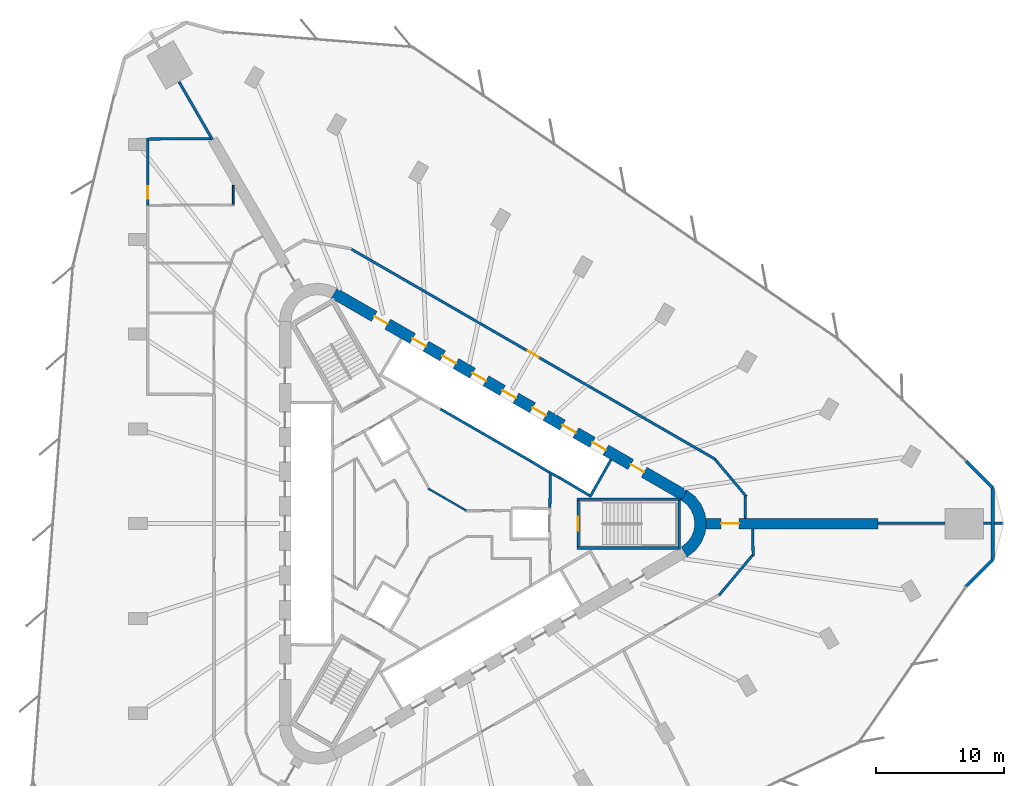
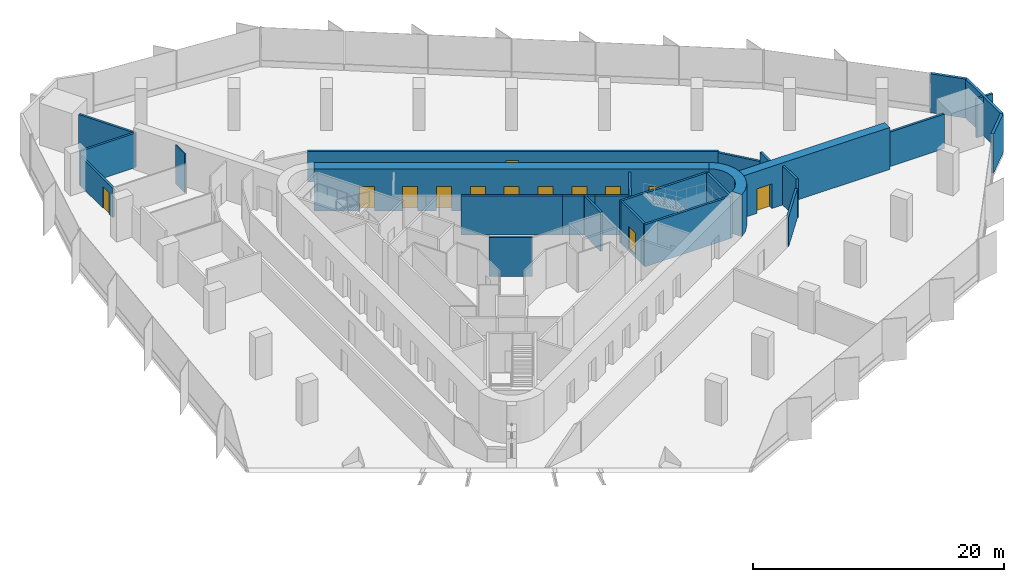
# One storey, part 12 of 14: 29 walls, 13 doors, 13 openings.
"""IFC4 building model written with IfcOpenShell, lengths in metres."""

import ifcopenshell
import ifcopenshell.guid

model = None  # the IFC model being written
_history = None  # IfcOwnerHistory: only IFC2X3 demands one
_inside = {}  # id of a spatial element -> (the spatial element, [elements in it])
_under = {}  # id of a project, library or spatial element -> (it, [spatial elements below it])
_declared = {}  # id of a project -> (the project, [libraries it declares])
_typed = {}  # id of a type object -> (the type object, [elements of that type])
_made_of = {}  # id of a material, layer set ... -> (it, [elements and type objects made of it])


def new_model(schema):
    """Start an empty IFC model of exactly this schema.

    Asked for "IFC4X3", IfcOpenShell would pick the latest addendum, in which some entities
    have other attributes; the version numbers below select the first issue.
    IFC2X3 requires an IfcOwnerHistory on every rooted entity: one is made here for all.
    """
    global model, _history
    if schema == "IFC4X3":
        model = ifcopenshell.file(schema_version=(4, 3, 0, 0))
    else:
        model = ifcopenshell.file(schema=schema)
    _inside.clear()
    _under.clear()
    _declared.clear()
    _typed.clear()
    _made_of.clear()
    _history = None
    if model.schema == "IFC2X3":
        org = make("IfcOrganization", Name="unknown")
        user = make(
            "IfcPersonAndOrganization",
            ThePerson=make("IfcPerson", FamilyName="unknown"),
            TheOrganization=org,
        )
        app = make(
            "IfcApplication",
            ApplicationDeveloper=org,
            Version="unknown",
            ApplicationFullName="unknown",
            ApplicationIdentifier="unknown",
        )
        _history = make(
            "IfcOwnerHistory",
            OwningUser=user,
            OwningApplication=app,
            ChangeAction="ADDED",
            CreationDate=0,
        )
    return model


def make(cls, **values):
    """One entity of the class cls with the attributes given. An attribute that is None is left unset."""
    return model.create_entity(
        cls, **{name: value for name, value in values.items() if value is not None}
    )


def rooted(cls, **values):
    """An entity with a GlobalId (a new one), such as an element, a storey or a relation."""
    return make(cls, GlobalId=ifcopenshell.guid.new(), OwnerHistory=_history, **values)


def si_unit(unit_type, name, prefix=None):
    """IfcSIUnit, for example si_unit("LENGTHUNIT", "METRE", prefix="MILLI")."""
    return make("IfcSIUnit", UnitType=unit_type, Prefix=prefix, Name=name)


def assignment(units):
    """IfcUnitAssignment: the units of a project."""
    return None if units is None else make("IfcUnitAssignment", Units=units)


def point(xyz):
    """IfcCartesianPoint."""
    return None if xyz is None else make("IfcCartesianPoint", Coordinates=xyz)


def direction(xyz):
    """IfcDirection."""
    return None if xyz is None else make("IfcDirection", DirectionRatios=xyz)


def frame(location, z_axis=None, x_axis=None):
    """IfcAxis2Placement3D, a coordinate frame: its origin and axes. An axis left out is left unset."""
    return make(
        "IfcAxis2Placement3D",
        Location=point(location),
        Axis=direction(z_axis),
        RefDirection=direction(x_axis),
    )


def frame_2d(location, x_axis=None):
    """IfcAxis2Placement2D, a coordinate frame in the plane: its origin and x axis."""
    return make(
        "IfcAxis2Placement2D", Location=point(location), RefDirection=direction(x_axis)
    )


def origin():
    """The frame at (0, 0, 0) with its axes left unset."""
    return frame((0.0, 0.0, 0.0))


def place(relative_to, where):
    """IfcLocalPlacement: puts the frame where relative to a parent placement (None: the world)."""
    return make(
        "IfcLocalPlacement", PlacementRelTo=relative_to, RelativePlacement=where
    )


def context(
    kind, dimensions, precision=None, world=None, true_north=None, identifier=None
):
    """IfcGeometricRepresentationContext, for example the 3D "Model" context."""
    return make(
        "IfcGeometricRepresentationContext",
        ContextIdentifier=identifier,
        ContextType=kind,
        CoordinateSpaceDimension=dimensions,
        Precision=precision,
        WorldCoordinateSystem=world,
        TrueNorth=true_north,
    )


def subcontext(parent, identifier, kind, view, scale=None):
    """IfcGeometricRepresentationSubContext, for example "Body" below "Model"."""
    return make(
        "IfcGeometricRepresentationSubContext",
        ContextIdentifier=identifier,
        ContextType=kind,
        ParentContext=parent,
        TargetScale=scale,
        TargetView=view,
    )


def project(units=None, contexts=None):
    """IfcProject with its units and contexts."""
    return rooted(
        "IfcProject",
        Name="project",
        RepresentationContexts=contexts,
        UnitsInContext=assignment(units),
    )


def spatial(cls, under=None, at=None, **own):
    """A site, building, storey or space (cls), placed at a placement, below another one or the project."""
    s = rooted(cls, ObjectPlacement=at, **own)
    if under is not None:
        _under.setdefault(under.id(), (under, []))[1].append(s)
    return s


def polyline(points):
    """IfcPolyline through the points."""
    return make("IfcPolyline", Points=[point(p) for p in points])


def profile(cls, at=None, kind="AREA", **sizes):
    """A parametric profile (cls). Its sizes go by their IFC names, for example OverallWidth=200.0."""
    return make(cls, ProfileType=kind, Position=at, **sizes)


def rectangle(**sizes):
    """IfcRectangleProfileDef."""
    return profile("IfcRectangleProfileDef", **sizes)


def outline(outer, holes=None, kind="AREA"):
    """IfcArbitraryClosedProfileDef: a profile drawn as a closed curve; with holes, ...WithVoids."""
    if holes is None:
        return make("IfcArbitraryClosedProfileDef", ProfileType=kind, OuterCurve=outer)
    return make(
        "IfcArbitraryProfileDefWithVoids",
        ProfileType=kind,
        OuterCurve=outer,
        InnerCurves=holes,
    )


def extrude(swept, where, along, depth):
    """IfcExtrudedAreaSolid: the profile swept, set in the frame where, extruded along a direction by depth."""
    return make(
        "IfcExtrudedAreaSolid",
        SweptArea=swept,
        Position=where,
        ExtrudedDirection=direction(along),
        Depth=depth,
    )


def shape(context_of_items, identifier, shape_type, items):
    """IfcShapeRepresentation: the items that make up one representation, for example the "Body"."""
    return make(
        "IfcShapeRepresentation",
        ContextOfItems=context_of_items,
        RepresentationIdentifier=identifier,
        RepresentationType=shape_type,
        Items=items,
    )


def material(Name=None, Category=None):
    """IfcMaterial."""
    return make("IfcMaterial", Name=Name, Category=Category)


def layer(
    of_material, thickness, ventilated=None, Name=None, Category=None, Priority=None
):
    """IfcMaterialLayer: one layer of a wall or slab, of a material (None: an air gap)."""
    return make(
        "IfcMaterialLayer",
        Material=of_material,
        LayerThickness=thickness,
        IsVentilated=ventilated,
        Name=Name,
        Category=Category,
        Priority=Priority,
    )


def layer_set(layers, Name=None):
    """IfcMaterialLayerSet."""
    return make("IfcMaterialLayerSet", MaterialLayers=layers, LayerSetName=Name)


def made_of(thing, what):
    """Note that an element or type object is made of a material, layer set ...; save() writes the relation."""
    if what is not None:
        _made_of.setdefault(what.id(), (what, []))[1].append(thing)
    return thing


def type_object(cls, material=None, **own):
    """A type object (cls), such as IfcWallType, which elements share."""
    return made_of(rooted(cls, **own), material)


def element(
    cls,
    number,
    at=None,
    inside=None,
    cuts=None,
    type_object=None,
    material=None,
    context=None,
    identifier="Body",
    shape_type=None,
    held_by="IfcProductDefinitionShape",
    body=None,
    shapes=None,
    **own,
):
    """One element of the class cls, such as IfcWall. Its Tag is "e" and its number.

    at: its placement. inside: the storey or other place that contains it. cuts: it is an
    opening in that element (IfcRelVoidsElement). A single representation is given by context,
    identifier, shape_type and body (its items); several are given by shapes. held_by: the class
    of the entity that holds the representations. save() writes the other relations.
    """
    e = rooted(cls, Tag="e%d" % number, ObjectPlacement=at, **own)
    if body is not None:
        shapes = [shape(context, identifier, shape_type, body)]
    if shapes is not None:
        e.Representation = make(held_by, Representations=shapes)
    if inside is not None:
        _inside.setdefault(inside.id(), (inside, []))[1].append(e)
    if cuts is not None:
        rooted(
            "IfcRelVoidsElement", RelatingBuildingElement=cuts, RelatedOpeningElement=e
        )
    if type_object is not None:
        _typed.setdefault(type_object.id(), (type_object, []))[1].append(e)
    return made_of(e, material)


def fill(opening, filler):
    """IfcRelFillsElement: the door or window that sits in an opening."""
    return rooted(
        "IfcRelFillsElement",
        RelatingOpeningElement=opening,
        RelatedBuildingElement=filler,
    )


def aggregate(whole, parts):
    """IfcRelAggregates: a whole, such as a stair, and the parts it consists of."""
    return rooted("IfcRelAggregates", RelatingObject=whole, RelatedObjects=parts)


def save(model, path):
    """Write the relations noted so far, then the file.

    IfcRelAggregates (storeys below a building ...), IfcRelContainedInSpatialStructure (elements
    in a storey), IfcRelDefinesByType, IfcRelAssociatesMaterial and IfcRelDeclares: one each for
    every whole, place, type object, material and project.
    """
    for whole, parts in _under.values():
        aggregate(whole, parts)
    for where, things in _inside.values():
        rooted(
            "IfcRelContainedInSpatialStructure",
            RelatedElements=things,
            RelatingStructure=where,
        )
    for kind, things in _typed.values():
        rooted("IfcRelDefinesByType", RelatedObjects=things, RelatingType=kind)
    for what, things in _made_of.values():
        rooted("IfcRelAssociatesMaterial", RelatedObjects=things, RelatingMaterial=what)
    for by, libraries in _declared.values():
        rooted("IfcRelDeclares", RelatingContext=by, RelatedDefinitions=libraries)
    model.write(path)


model = new_model("IFC4")

# Units and contexts
model_context = context("Model", 3, precision=1e-05, world=origin(), true_north=direction((0.0, 1.0)))
body_context = subcontext(model_context, "Body", "Model", "MODEL_VIEW")
ifc_project = project(units=[si_unit("LENGTHUNIT", "METRE"), si_unit("AREAUNIT", "SQUARE_METRE"), si_unit("VOLUMEUNIT", "CUBIC_METRE"), si_unit("PLANEANGLEUNIT", "RADIAN"), si_unit("MASSUNIT", "GRAM", prefix="KILO")], contexts=[model_context])

# Site, building, storey
site_placement = place(None, origin())
site = spatial("IfcSite", under=ifc_project, at=site_placement, CompositionType="ELEMENT")
building_placement = place(site_placement, origin())
building = spatial("IfcBuilding", under=site, at=building_placement, Name="Tanit Gate Tower", CompositionType="ELEMENT")
storey_placement = place(building_placement, frame((0.0, 0.0, 90.60009765625)))
storey = spatial("IfcBuildingStorey", under=building, at=storey_placement, Name="L18", CompositionType="ELEMENT", Elevation=90.60009765625)

# Wall, opening, door
ifc_material_1 = material(Name="Concrete C60/75", Category="concrete")
ifc_layer_1 = layer(ifc_material_1, 0.800048828125)
ifc_layer_set_1 = layer_set([ifc_layer_1], Name="BUTTRESS FIN 800 C60/75")
wall_type_1 = type_object("IfcWallType", Name="BUTTRESS FIN 800 C60/75", PredefinedType="SHEAR", material=ifc_layer_set_1)
wall_1_placement = place(storey_placement, frame((21.14990234375, 0.0, 0.0), z_axis=(0.0, 0.0, 1.0), x_axis=(1.0, 0.0, 0.0)))
wall_1 = element("IfcWall", 1, at=wall_1_placement, inside=storey, type_object=wall_type_1, Name="BUTTRESS FIN", PredefinedType="SHEAR", context=body_context, shape_type="SweptSolid", body=[
    extrude(rectangle(XDim=13.455322265625, YDim=0.800048828125, at=frame_2d((6.7275390625, 0.0))), origin(), (0.0, 0.0, 1.0), 4.099853515625),
])
opening_1_placement = place(wall_1_placement, frame((1.199951171875, 0.0, 0.0)))
opening_1 = element("IfcOpeningElement", 2, at=opening_1_placement, cuts=wall_1, Name="Opening P14-S03-F-E-1", PredefinedType="OPENING", context=body_context, shape_type="SweptSolid", body=[
    extrude(rectangle(XDim=1.39990234375, YDim=2.39990234375, at=frame_2d((0.699951171875, 1.199951171875))), frame((0.0, 0.41015625, 0.0), z_axis=(0.0, -1.0, 0.0), x_axis=(1.0, 0.0, 0.0)), (0.0, 0.0, 1.0), 0.820068359375),
])
ifc_material_2 = material(Name="Timber door leaf", Category="wood")
door_type_1 = type_object("IfcDoorType", Name="INT-DOOR-FIN-PAIR-1400", OperationType="NOTDEFINED", PredefinedType="NOTDEFINED", material=ifc_material_2)
door_1_placement = place(opening_1_placement, origin())
door_1 = element("IfcDoor", 3, at=door_1_placement, inside=storey, type_object=door_type_1, Name="Door P14-S03-F-E-1", OperationType="DOUBLE_DOOR_SINGLE_SWING", OverallHeight=2.39990234375, OverallWidth=1.39990234375, PredefinedType="NOTDEFINED", context=body_context, shape_type="SweptSolid", body=[
    extrude(rectangle(XDim=1.39990234375, YDim=2.39990234375, at=frame_2d((0.699951171875, 1.199951171875))), frame((0.0, 0.02490234375, 0.0), z_axis=(0.0, -1.0, 0.0), x_axis=(1.0, 0.0, 0.0)), (0.0, 0.0, 1.0), 0.050048828125),
])
fill(opening_1, door_1)

# Wall, openings, doors
ifc_material_3 = material(Name="Concrete C60/75", Category="concrete")
ifc_layer_2 = layer(ifc_material_3, 0.89990234375)
ifc_layer_set_2 = layer_set([ifc_layer_2], Name="CORE WALL 900 C60/75")
wall_type_2 = type_object("IfcWallType", Name="CORE WALL 900 C60/75", PredefinedType="SHEAR", material=ifc_layer_set_2)
wall_2_placement = place(storey_placement, frame((19.47509765625, 2.20849609375, 0.0), z_axis=(0.0, 0.0, 1.0), x_axis=(-0.866028369851, 0.499994862586, 0.0)))
wall_2 = element("IfcWall", 4, at=wall_2_placement, inside=storey, type_object=wall_type_2, Name="CORE WALL", PredefinedType="SHEAR", context=body_context, shape_type="SweptSolid", body=[
    extrude(rectangle(XDim=31.523193359375, YDim=0.89990234375, at=frame_2d((15.76171875, 0.0))), origin(), (0.0, 0.0, 1.0), 4.099853515625),
])
opening_2_placement = place(wall_2_placement, frame((7.0615234375, 0.0, 0.0)))
opening_2 = element("IfcOpeningElement", 5, at=opening_2_placement, cuts=wall_2, Name="Opening LDLL8-S03", PredefinedType="OPENING", context=body_context, shape_type="SweptSolid", body=[
    extrude(rectangle(XDim=1.199951171875, YDim=2.39990234375, at=frame_2d((0.60009765625, 1.199951171875))), frame((0.0, 0.4599609375, 0.0), z_axis=(0.0, -1.0, 0.0), x_axis=(1.0, 0.0, 0.0)), (0.0, 0.0, 1.0), 0.919921875),
])
opening_3_placement = place(wall_2_placement, frame((9.76171875, 0.0, 0.0)))
opening_3 = element("IfcOpeningElement", 6, at=opening_3_placement, cuts=wall_2, Name="Opening LDLL9-S03", PredefinedType="OPENING", context=body_context, shape_type="SweptSolid", body=[
    extrude(rectangle(XDim=1.199951171875, YDim=2.39990234375, at=frame_2d((0.60009765625, 1.199951171875))), frame((0.0, 0.4599609375, 0.0), z_axis=(0.0, -1.0, 0.0), x_axis=(1.0, 0.0, 0.0)), (0.0, 0.0, 1.0), 0.919921875),
])
opening_4_placement = place(wall_2_placement, frame((12.461669921875, 0.0, 0.0)))
opening_4 = element("IfcOpeningElement", 7, at=opening_4_placement, cuts=wall_2, Name="Opening LDLL10-S03", PredefinedType="OPENING", context=body_context, shape_type="SweptSolid", body=[
    extrude(rectangle(XDim=1.199951171875, YDim=2.39990234375, at=frame_2d((0.60009765625, 1.199951171875))), frame((0.0, 0.4599609375, 0.0), z_axis=(0.0, -1.0, 0.0), x_axis=(1.0, 0.0, 0.0)), (0.0, 0.0, 1.0), 0.919921875),
])
opening_5_placement = place(wall_2_placement, frame((15.16162109375, 0.0, 0.0)))
opening_5 = element("IfcOpeningElement", 8, at=opening_5_placement, cuts=wall_2, Name="Opening LDSL1-S03", PredefinedType="OPENING", context=body_context, shape_type="SweptSolid", body=[
    extrude(rectangle(XDim=1.199951171875, YDim=2.39990234375, at=frame_2d((0.60009765625, 1.199951171875))), frame((0.0, 0.4599609375, 0.0), z_axis=(0.0, -1.0, 0.0), x_axis=(1.0, 0.0, 0.0)), (0.0, 0.0, 1.0), 0.919921875),
])
opening_6_placement = place(wall_2_placement, frame((17.861572265625, 0.0, 0.0)))
opening_6 = element("IfcOpeningElement", 9, at=opening_6_placement, cuts=wall_2, Name="Opening LDSL2-S03", PredefinedType="OPENING", context=body_context, shape_type="SweptSolid", body=[
    extrude(rectangle(XDim=1.199951171875, YDim=2.39990234375, at=frame_2d((0.60009765625, 1.199951171875))), frame((0.0, 0.4599609375, 0.0), z_axis=(0.0, -1.0, 0.0), x_axis=(1.0, 0.0, 0.0)), (0.0, 0.0, 1.0), 0.919921875),
])
opening_7_placement = place(wall_2_placement, frame((20.5615234375, 0.0, 0.0)))
opening_7 = element("IfcOpeningElement", 10, at=opening_7_placement, cuts=wall_2, Name="Opening LDSL3-S03", PredefinedType="OPENING", context=body_context, shape_type="SweptSolid", body=[
    extrude(rectangle(XDim=1.199951171875, YDim=2.39990234375, at=frame_2d((0.60009765625, 1.199951171875))), frame((0.0, 0.4599609375, 0.0), z_axis=(0.0, -1.0, 0.0), x_axis=(1.0, 0.0, 0.0)), (0.0, 0.0, 1.0), 0.919921875),
])
opening_8_placement = place(wall_2_placement, frame((23.26171875, 0.0, 0.0)))
opening_8 = element("IfcOpeningElement", 11, at=opening_8_placement, cuts=wall_2, Name="Opening LDSL4-S03", PredefinedType="OPENING", context=body_context, shape_type="SweptSolid", body=[
    extrude(rectangle(XDim=1.199951171875, YDim=2.39990234375, at=frame_2d((0.60009765625, 1.199951171875))), frame((0.0, 0.4599609375, 0.0), z_axis=(0.0, -1.0, 0.0), x_axis=(1.0, 0.0, 0.0)), (0.0, 0.0, 1.0), 0.919921875),
])
opening_9_placement = place(wall_2_placement, frame((3.611572265625, 0.0, 0.0)))
opening_9 = element("IfcOpeningElement", 12, at=opening_9_placement, cuts=wall_2, Name="Opening F12-S03-FL1", PredefinedType="OPENING", context=body_context, shape_type="SweptSolid", body=[
    extrude(rectangle(XDim=1.199951171875, YDim=2.39990234375, at=frame_2d((0.60009765625, 1.199951171875))), frame((0.0, 0.4599609375, 0.0), z_axis=(0.0, -1.0, 0.0), x_axis=(1.0, 0.0, 0.0)), (0.0, 0.0, 1.0), 0.919921875),
])
opening_10_placement = place(wall_2_placement, frame((26.711669921875, 0.0, 0.0)))
opening_10 = element("IfcOpeningElement", 13, at=opening_10_placement, cuts=wall_2, Name="Opening F12-S03-S2", PredefinedType="OPENING", context=body_context, shape_type="SweptSolid", body=[
    extrude(rectangle(XDim=1.199951171875, YDim=2.39990234375, at=frame_2d((0.60009765625, 1.199951171875))), frame((0.0, 0.4599609375, 0.0), z_axis=(0.0, -1.0, 0.0), x_axis=(1.0, 0.0, 0.0)), (0.0, 0.0, 1.0), 0.919921875),
])
ifc_material_4 = material(Name="Fire-rated steel door leaf", Category="steel")
door_type_2 = type_object("IfcDoorType", Name="INT-DOOR-FIRE-LOBBY-1200", OperationType="NOTDEFINED", PredefinedType="USERDEFINED", material=ifc_material_4)
door_2_placement = place(opening_9_placement, origin())
door_2 = element("IfcDoor", 14, at=door_2_placement, inside=storey, type_object=door_type_2, Name="Door F12-S03-FL1", ObjectType="FIRE DOOR", OperationType="SINGLE_SWING_LEFT", OverallHeight=2.39990234375, OverallWidth=1.199951171875, PredefinedType="USERDEFINED", context=body_context, shape_type="SweptSolid", body=[
    extrude(rectangle(XDim=1.199951171875, YDim=2.39990234375, at=frame_2d((0.60009765625, 1.199951171875))), frame((0.0, 0.02490234375, 0.0), z_axis=(0.0, -1.0, 0.0), x_axis=(1.0, 0.0, 0.0)), (0.0, 0.0, 1.0), 0.050048828125),
])
fill(opening_9, door_2)
door_3_placement = place(opening_10_placement, origin())
door_3 = element("IfcDoor", 15, at=door_3_placement, inside=storey, type_object=door_type_2, Name="Door F12-S03-S2", ObjectType="FIRE DOOR", OperationType="SINGLE_SWING_RIGHT", OverallHeight=2.39990234375, OverallWidth=1.199951171875, PredefinedType="USERDEFINED", context=body_context, shape_type="SweptSolid", body=[
    extrude(rectangle(XDim=1.199951171875, YDim=2.39990234375, at=frame_2d((0.60009765625, 1.199951171875))), frame((0.0, 0.02490234375, 0.0), z_axis=(0.0, -1.0, 0.0), x_axis=(1.0, 0.0, 0.0)), (0.0, 0.0, 1.0), 0.050048828125),
])
fill(opening_10, door_3)
ifc_material_5 = material(Name="Stainless steel sliding door leaf", Category="steel")
door_type_3 = type_object("IfcDoorType", Name="INT-DOOR-LANDING-1200", OperationType="NOTDEFINED", PredefinedType="USERDEFINED", material=ifc_material_5)
door_4_placement = place(opening_2_placement, origin())
door_4 = element("IfcDoor", 16, at=door_4_placement, inside=storey, type_object=door_type_3, Name="Door LDLL8-S03", ObjectType="LANDING DOOR", OperationType="SLIDING_TO_LEFT", OverallHeight=2.39990234375, OverallWidth=1.199951171875, PredefinedType="USERDEFINED", context=body_context, shape_type="SweptSolid", body=[
    extrude(rectangle(XDim=1.199951171875, YDim=2.39990234375, at=frame_2d((0.60009765625, 1.199951171875))), frame((0.0, 0.02490234375, 0.0), z_axis=(0.0, -1.0, 0.0), x_axis=(1.0, 0.0, 0.0)), (0.0, 0.0, 1.0), 0.050048828125),
])
fill(opening_2, door_4)
door_5_placement = place(opening_3_placement, origin())
door_5 = element("IfcDoor", 17, at=door_5_placement, inside=storey, type_object=door_type_3, Name="Door LDLL9-S03", ObjectType="LANDING DOOR", OperationType="SLIDING_TO_LEFT", OverallHeight=2.39990234375, OverallWidth=1.199951171875, PredefinedType="USERDEFINED", context=body_context, shape_type="SweptSolid", body=[
    extrude(rectangle(XDim=1.199951171875, YDim=2.39990234375, at=frame_2d((0.60009765625, 1.199951171875))), frame((0.0, 0.02490234375, 0.0), z_axis=(0.0, -1.0, 0.0), x_axis=(1.0, 0.0, 0.0)), (0.0, 0.0, 1.0), 0.050048828125),
])
fill(opening_3, door_5)
door_6_placement = place(opening_4_placement, origin())
door_6 = element("IfcDoor", 18, at=door_6_placement, inside=storey, type_object=door_type_3, Name="Door LDLL10-S03", ObjectType="LANDING DOOR", OperationType="SLIDING_TO_LEFT", OverallHeight=2.39990234375, OverallWidth=1.199951171875, PredefinedType="USERDEFINED", context=body_context, shape_type="SweptSolid", body=[
    extrude(rectangle(XDim=1.199951171875, YDim=2.39990234375, at=frame_2d((0.60009765625, 1.199951171875))), frame((0.0, 0.02490234375, 0.0), z_axis=(0.0, -1.0, 0.0), x_axis=(1.0, 0.0, 0.0)), (0.0, 0.0, 1.0), 0.050048828125),
])
fill(opening_4, door_6)
door_7_placement = place(opening_5_placement, origin())
door_7 = element("IfcDoor", 19, at=door_7_placement, inside=storey, type_object=door_type_3, Name="Door LDSL1-S03", ObjectType="LANDING DOOR", OperationType="SLIDING_TO_LEFT", OverallHeight=2.39990234375, OverallWidth=1.199951171875, PredefinedType="USERDEFINED", context=body_context, shape_type="SweptSolid", body=[
    extrude(rectangle(XDim=1.199951171875, YDim=2.39990234375, at=frame_2d((0.60009765625, 1.199951171875))), frame((0.0, 0.02490234375, 0.0), z_axis=(0.0, -1.0, 0.0), x_axis=(1.0, 0.0, 0.0)), (0.0, 0.0, 1.0), 0.050048828125),
])
fill(opening_5, door_7)
door_8_placement = place(opening_6_placement, origin())
door_8 = element("IfcDoor", 20, at=door_8_placement, inside=storey, type_object=door_type_3, Name="Door LDSL2-S03", ObjectType="LANDING DOOR", OperationType="SLIDING_TO_LEFT", OverallHeight=2.39990234375, OverallWidth=1.199951171875, PredefinedType="USERDEFINED", context=body_context, shape_type="SweptSolid", body=[
    extrude(rectangle(XDim=1.199951171875, YDim=2.39990234375, at=frame_2d((0.60009765625, 1.199951171875))), frame((0.0, 0.02490234375, 0.0), z_axis=(0.0, -1.0, 0.0), x_axis=(1.0, 0.0, 0.0)), (0.0, 0.0, 1.0), 0.050048828125),
])
fill(opening_6, door_8)
door_9_placement = place(opening_7_placement, origin())
door_9 = element("IfcDoor", 21, at=door_9_placement, inside=storey, type_object=door_type_3, Name="Door LDSL3-S03", ObjectType="LANDING DOOR", OperationType="SLIDING_TO_LEFT", OverallHeight=2.39990234375, OverallWidth=1.199951171875, PredefinedType="USERDEFINED", context=body_context, shape_type="SweptSolid", body=[
    extrude(rectangle(XDim=1.199951171875, YDim=2.39990234375, at=frame_2d((0.60009765625, 1.199951171875))), frame((0.0, 0.02490234375, 0.0), z_axis=(0.0, -1.0, 0.0), x_axis=(1.0, 0.0, 0.0)), (0.0, 0.0, 1.0), 0.050048828125),
])
fill(opening_7, door_9)
door_10_placement = place(opening_8_placement, origin())
door_10 = element("IfcDoor", 22, at=door_10_placement, inside=storey, type_object=door_type_3, Name="Door LDSL4-S03", ObjectType="LANDING DOOR", OperationType="SLIDING_TO_LEFT", OverallHeight=2.39990234375, OverallWidth=1.199951171875, PredefinedType="USERDEFINED", context=body_context, shape_type="SweptSolid", body=[
    extrude(rectangle(XDim=1.199951171875, YDim=2.39990234375, at=frame_2d((0.60009765625, 1.199951171875))), frame((0.0, 0.02490234375, 0.0), z_axis=(0.0, -1.0, 0.0), x_axis=(1.0, 0.0, 0.0)), (0.0, 0.0, 1.0), 0.050048828125),
])
fill(opening_8, door_10)

# Walls
wall_3_placement = place(storey_placement, origin())
element("IfcWall", 23, at=wall_3_placement, inside=storey, type_object=wall_type_2, Name="CORE WALL CORNER", PredefinedType="SHEAR", context=body_context, shape_type="SweptSolid", body=[
    extrude(outline(polyline([(19.699951171875, -2.59814453125), (20.3212890625, -2.121337890625), (20.798095703125, -1.5), (21.097900390625, -0.776611328125), (21.199951171875, 0.0), (21.097900390625, 0.776611328125), (20.798095703125, 1.5), (20.3212890625, 2.121337890625), (19.699951171875, 2.59814453125), (19.25, 1.818603515625), (19.684814453125, 1.48486328125), (20.018798828125, 1.050048828125), (20.228515625, 0.54345703125), (20.300048828125, 0.0), (20.228515625, -0.54345703125), (20.018798828125, -1.050048828125), (19.684814453125, -1.48486328125), (19.25, -1.818603515625), (19.699951171875, -2.59814453125)])), origin(), (0.0, 0.0, 1.0), 4.099853515625),
])
ifc_material_6 = material(Name="Concrete C30/37 with bronze anodised aluminium cladding", Category="concrete")
ifc_layer_3 = layer(ifc_material_6, 0.239990234375)
ifc_layer_set_3 = layer_set([ifc_layer_3], Name="Facade wall bronze clad 240")
wall_type_3 = type_object("IfcWallType", Name="Facade wall bronze clad 240", PredefinedType="SOLIDWALL", material=ifc_layer_set_3)
wall_4_placement = place(storey_placement, frame((41.4580078125, -4.889892578125, 0.0), z_axis=(0.0, 0.0, 1.0), x_axis=(0.707106781187, 0.707106781187, 0.0)))
element("IfcWall", 24, at=wall_4_placement, inside=storey, type_object=wall_type_3, Name="Bronze-clad facade wall L18 E.arc1", PredefinedType="SOLIDWALL", context=body_context, shape_type="SweptSolid", body=[
    extrude(rectangle(XDim=2.947998046875, YDim=0.239990234375, at=frame_2d((1.47412109375, 0.0))), origin(), (0.0, 0.0, 1.0), 3.7998046875),
])
wall_5_placement = place(storey_placement, frame((43.54248046875, -2.805419921875, 0.0), z_axis=(0.0, 0.0, 1.0), x_axis=(0.0, 1.0, 0.0)))
element("IfcWall", 25, at=wall_5_placement, inside=storey, type_object=wall_type_3, Name="Bronze-clad facade wall L18 E.arc2", PredefinedType="SOLIDWALL", context=body_context, shape_type="SweptSolid", body=[
    extrude(rectangle(XDim=5.61083984375, YDim=0.239990234375, at=frame_2d((2.805419921875, 0.0))), origin(), (0.0, 0.0, 1.0), 3.7998046875),
])
wall_6_placement = place(storey_placement, frame((43.54248046875, 2.805419921875, 0.0), z_axis=(0.0, 0.0, 1.0), x_axis=(-0.707106781187, 0.707106781187, 0.0)))
element("IfcWall", 26, at=wall_6_placement, inside=storey, type_object=wall_type_3, Name="Bronze-clad facade wall L18 E.arc3", PredefinedType="SOLIDWALL", context=body_context, shape_type="SweptSolid", body=[
    extrude(rectangle(XDim=2.935546875, YDim=0.239990234375, at=frame_2d((1.4677734375, 0.0))), origin(), (0.0, 0.0, 1.0), 3.7998046875),
])
ifc_material_7 = material(Name="Fire-rated gypsum board partition")
ifc_layer_4 = layer(ifc_material_7, 0.199951171875)
ifc_layer_set_4 = layer_set([ifc_layer_4], Name="INT-WALL-COMPARTMENT")
wall_type_4 = type_object("IfcWallType", Name="INT-WALL-COMPARTMENT", PredefinedType="PARTITIONING", material=ifc_layer_set_4)
wall_7_placement = place(storey_placement, frame((9.0009765625, 1.27001953125, 0.0), z_axis=(0.0, 0.0, 1.0), x_axis=(0.010784614026, 0.999941844359, 0.0)))
element("IfcWall", 27, at=wall_7_placement, inside=storey, type_object=wall_type_4, Name="Wall Compartment W059", PredefinedType="PARTITIONING", context=body_context, shape_type="SweptSolid", body=[
    extrude(rectangle(XDim=2.580810546875, YDim=0.199951171875, at=frame_2d((1.29052734375, 0.0))), origin(), (0.0, 0.0, 1.0), 3.7998046875),
])

# Wall, opening, door
wall_8_placement = place(storey_placement, frame((21.944091796875, 4.99755859375, 0.0), z_axis=(0.0, 0.0, 1.0), x_axis=(-0.866025615729, 0.499999632902, 0.0)))
wall_8 = element("IfcWall", 28, at=wall_8_placement, inside=storey, type_object=wall_type_4, Name="Wall Compartment W098", PredefinedType="PARTITIONING", context=body_context, shape_type="SweptSolid", body=[
    extrude(rectangle(XDim=32.810546875, YDim=0.199951171875, at=frame_2d((16.4052734375, 0.0))), origin(), (0.0, 0.0, 1.0), 2.97998046875),
])
opening_11_placement = place(wall_8_placement, frame((15.955322265625, 0.0, 0.0)))
opening_11 = element("IfcOpeningElement", 29, at=opening_11_placement, cuts=wall_8, Name="Opening F10-S03-21", PredefinedType="OPENING", context=body_context, shape_type="SweptSolid", body=[
    extrude(rectangle(XDim=1.0, YDim=2.10009765625, at=frame_2d((0.5, 1.050048828125))), frame((0.0, 0.10986328125, 0.0), z_axis=(0.0, -1.0, 0.0), x_axis=(1.0, 0.0, 0.0)), (0.0, 0.0, 1.0), 0.219970703125),
])
ifc_material_8 = material(Name="Fire-rated steel door leaf", Category="steel")
door_type_4 = type_object("IfcDoorType", Name="INT-DOOR-FIRE-1000", OperationType="NOTDEFINED", PredefinedType="USERDEFINED", material=ifc_material_8)
door_11_placement = place(opening_11_placement, origin())
door_11 = element("IfcDoor", 30, at=door_11_placement, inside=storey, type_object=door_type_4, Name="Door F10-S03-21", ObjectType="FIRE DOOR", OperationType="SINGLE_SWING_RIGHT", OverallHeight=2.10009765625, OverallWidth=1.0, PredefinedType="USERDEFINED", context=body_context, shape_type="SweptSolid", body=[
    extrude(rectangle(XDim=1.0, YDim=2.10009765625, at=frame_2d((0.5, 1.050048828125))), frame((0.0, 0.02490234375, 0.0), z_axis=(0.0, -1.0, 0.0), x_axis=(1.0, 0.0, 0.0)), (0.0, 0.0, 1.0), 0.050048828125),
])
fill(opening_11, door_11)

# Walls
wall_9_placement = place(storey_placement, frame((24.32080078125, 2.11181640625, 0.0), z_axis=(0.0, 0.0, 1.0), x_axis=(-0.642799287091, 0.766034644461, 0.0)))
element("IfcWall", 31, at=wall_9_placement, inside=storey, type_object=wall_type_4, Name="Wall Compartment W099", PredefinedType="PARTITIONING", context=body_context, shape_type="SweptSolid", body=[
    extrude(rectangle(XDim=3.732421875, YDim=0.199951171875, at=frame_2d((1.8662109375, 0.0))), origin(), (0.0, 0.0, 1.0), 2.8798828125),
])
wall_10_placement = place(storey_placement, frame((24.2216796875, 0.39990234375, 0.0), z_axis=(0.0, 0.0, 1.0), x_axis=(0.013657262725, 0.999906735238, 0.0)))
element("IfcWall", 32, at=wall_10_placement, inside=storey, type_object=wall_type_4, Name="Wall Compartment W100", PredefinedType="PARTITIONING", context=body_context, shape_type="SweptSolid", body=[
    extrude(rectangle(XDim=1.751953125, YDim=0.199951171875, at=frame_2d((0.8759765625, 0.0))), origin(), (0.0, 0.0, 1.0), 3.7998046875),
])
wall_11_placement = place(storey_placement, frame((24.84765625, -2.53515625, 0.0), z_axis=(0.0, 0.0, 1.0), x_axis=(-0.012347560796, 0.999923765965, 0.0)))
element("IfcWall", 33, at=wall_11_placement, inside=storey, type_object=wall_type_4, Name="Wall Compartment W101", PredefinedType="PARTITIONING", context=body_context, shape_type="SweptSolid", body=[
    extrude(rectangle(XDim=2.135498046875, YDim=0.199951171875, at=frame_2d((1.06787109375, 0.0))), origin(), (0.0, 0.0, 1.0), 3.7998046875),
])
wall_12_placement = place(storey_placement, frame((22.184814453125, -5.5908203125, 0.0), z_axis=(0.0, 0.0, 1.0), x_axis=(0.642774966428, 0.766055051894, 0.0)))
element("IfcWall", 34, at=wall_12_placement, inside=storey, type_object=wall_type_4, Name="Wall Compartment W102", PredefinedType="PARTITIONING", context=body_context, shape_type="SweptSolid", body=[
    extrude(rectangle(XDim=4.091552734375, YDim=0.199951171875, at=frame_2d((2.0458984375, 0.0))), origin(), (0.0, 0.0, 1.0), 2.8798828125),
])
wall_13_placement = place(storey_placement, frame((-19.93505859375, 34.46875, 0.0), z_axis=(0.0, 0.0, 1.0), x_axis=(0.49998731371, -0.866032728093, 0.0)))
element("IfcWall", 35, at=wall_13_placement, inside=storey, type_object=wall_type_4, Name="Wall Compartment W108", PredefinedType="PARTITIONING", context=body_context, shape_type="SweptSolid", body=[
    extrude(rectangle(XDim=5.213134765625, YDim=0.199951171875, at=frame_2d((2.6064453125, 0.0))), origin(), (0.0, 0.0, 1.0), 3.369873046875),
])

# Wall, opening, door
wall_14_placement = place(storey_placement, frame((-22.3701171875, 24.8291015625, 0.0), z_axis=(0.0, 0.0, 1.0), x_axis=(0.0, 1.0, 0.0)))
wall_14 = element("IfcWall", 36, at=wall_14_placement, inside=storey, type_object=wall_type_4, Name="Wall Compartment W116", PredefinedType="PARTITIONING", context=body_context, shape_type="SweptSolid", body=[
    extrude(rectangle(XDim=5.07080078125, YDim=0.199951171875, at=frame_2d((2.535400390625, 0.0))), origin(), (0.0, 0.0, 1.0), 2.8798828125),
])
opening_12_placement = place(wall_14_placement, frame((0.5, 0.0, 0.0)))
opening_12 = element("IfcOpeningElement", 37, at=opening_12_placement, cuts=wall_14, Name="Opening F10-S03-19", PredefinedType="OPENING", context=body_context, shape_type="SweptSolid", body=[
    extrude(rectangle(XDim=1.0, YDim=2.10009765625, at=frame_2d((0.5, 1.050048828125))), frame((0.0, 0.10986328125, 0.0), z_axis=(0.0, -1.0, 0.0), x_axis=(1.0, 0.0, 0.0)), (0.0, 0.0, 1.0), 0.219970703125),
])
door_12_placement = place(opening_12_placement, origin())
door_12 = element("IfcDoor", 38, at=door_12_placement, inside=storey, type_object=door_type_4, Name="Door F10-S03-19", ObjectType="FIRE DOOR", OperationType="SINGLE_SWING_LEFT", OverallHeight=2.10009765625, OverallWidth=1.0, PredefinedType="USERDEFINED", context=body_context, shape_type="SweptSolid", body=[
    extrude(rectangle(XDim=1.0, YDim=2.10009765625, at=frame_2d((0.5, 1.050048828125))), frame((0.0, 0.02490234375, 0.0), z_axis=(0.0, -1.0, 0.0), x_axis=(1.0, 0.0, 0.0)), (0.0, 0.0, 1.0), 0.050048828125),
])
fill(opening_12, door_12)

# Walls
wall_15_placement = place(storey_placement, frame((-17.4873046875, 30.029052734375, 0.0), z_axis=(0.0, 0.0, 1.0), x_axis=(-0.999982425384, -0.005928652725, 0.0)))
element("IfcWall", 39, at=wall_15_placement, inside=storey, type_object=wall_type_4, Name="Wall Compartment W115", PredefinedType="PARTITIONING", context=body_context, shape_type="SweptSolid", body=[
    extrude(rectangle(XDim=4.982666015625, YDim=0.199951171875, at=frame_2d((2.4912109375, 0.0))), origin(), (0.0, 0.0, 1.0), 3.369873046875),
])
wall_16_placement = place(storey_placement, frame((34.605224609375, 0.01953125, 0.0), z_axis=(0.0, 0.0, 1.0), x_axis=(0.999997972374, 0.002013764474, 0.0)))
element("IfcWall", 40, at=wall_16_placement, inside=storey, type_object=wall_type_4, Name="Wall Compartment W117", PredefinedType="PARTITIONING", context=body_context, shape_type="SweptSolid", body=[
    extrude(rectangle(XDim=5.213134765625, YDim=0.199951171875, at=frame_2d((2.6064453125, 0.0))), origin(), (0.0, 0.0, 1.0), 3.369873046875),
])
wall_17_placement = place(storey_placement, frame((42.818359375, 0.030029296875, 0.0), z_axis=(0.0, 0.0, 1.0), x_axis=(1.0, 0.0, 0.0)))
element("IfcWall", 41, at=wall_17_placement, inside=storey, type_object=wall_type_4, Name="Wall Compartment W118", PredefinedType="PARTITIONING", context=body_context, shape_type="SweptSolid", body=[
    extrude(rectangle(XDim=0.60400390625, YDim=0.199951171875, at=frame_2d((0.302001953125, 0.0))), origin(), (0.0, 0.0, 1.0), 3.7998046875),
])
wall_18_placement = place(storey_placement, frame((43.662353515625, 0.030029296875, 0.0), z_axis=(0.0, 0.0, 1.0), x_axis=(1.0, 0.0, 0.0)))
element("IfcWall", 42, at=wall_18_placement, inside=storey, type_object=wall_type_4, Name="Wall Compartment W118x1", PredefinedType="PARTITIONING", context=body_context, shape_type="SweptSolid", body=[
    extrude(rectangle(XDim=0.623779296875, YDim=0.199951171875, at=frame_2d((0.31201171875, 0.0))), origin(), (0.0, 0.0, 1.0), 3.7998046875),
])
ifc_material_9 = material(Name="Gypsum board partition")
ifc_layer_5 = layer(ifc_material_9, 0.1201171875)
ifc_layer_set_5 = layer_set([ifc_layer_5], Name="INT-WALL-PARTITION")
wall_type_5 = type_object("IfcWallType", Name="INT-WALL-PARTITION", PredefinedType="PARTITIONING", material=ifc_layer_set_5)
wall_19_placement = place(storey_placement, frame((-15.699951171875, 24.9189453125, 0.0), z_axis=(0.0, 0.0, 1.0), x_axis=(0.0, 1.0, 0.0)))
element("IfcWall", 43, at=wall_19_placement, inside=storey, type_object=wall_type_5, Name="Wall Partition W123", PredefinedType="PARTITIONING", context=body_context, shape_type="SweptSolid", body=[
    extrude(rectangle(XDim=1.474365234375, YDim=0.1201171875, at=frame_2d((0.7373046875, 0.0))), origin(), (0.0, 0.0, 1.0), 3.7998046875),
])
ifc_material_10 = material(Name="Fire-rated gypsum board partition")
ifc_layer_6 = layer(ifc_material_10, 0.14990234375)
ifc_layer_set_6 = layer_set([ifc_layer_6], Name="INT-WALL-RISER")
wall_type_6 = type_object("IfcWallType", Name="INT-WALL-RISER", PredefinedType="PLUMBINGWALL", material=ifc_layer_set_6)
wall_20_placement = place(storey_placement, frame((-0.5, 2.73876953125, 0.0), z_axis=(0.0, 0.0, 1.0), x_axis=(0.866029020252, -0.499993736042, 0.0)))
element("IfcWall", 44, at=wall_20_placement, inside=storey, type_object=wall_type_6, Name="Wall Riser W066", PredefinedType="PLUMBINGWALL", context=body_context, shape_type="SweptSolid", body=[
    extrude(rectangle(XDim=3.45361328125, YDim=0.14990234375, at=frame_2d((1.726806640625, 0.0))), origin(), (0.0, 0.0, 1.0), 3.7998046875),
])
ifc_material_11 = material(Name="Gypsum shaft wall system")
ifc_layer_7 = layer(ifc_material_11, 0.199951171875)
ifc_layer_set_7 = layer_set([ifc_layer_7], Name="INT-WALL-SHAFT")
wall_type_7 = type_object("IfcWallType", Name="INT-WALL-SHAFT", PredefinedType="PLUMBINGWALL", material=ifc_layer_set_7)
wall_21_placement = place(storey_placement, frame((7.497314453125, 4.885986328125, 0.0), z_axis=(0.0, 0.0, 1.0), x_axis=(-0.866030989016, 0.499990325971, 0.0)))
element("IfcWall", 45, at=wall_21_placement, inside=storey, type_object=wall_type_7, Name="Wall Shaft W003", PredefinedType="PLUMBINGWALL", context=body_context, shape_type="SweptSolid", body=[
    extrude(rectangle(XDim=8.099853515625, YDim=0.199951171875, at=frame_2d((4.0498046875, 0.0))), origin(), (0.0, 0.0, 1.0), 3.7998046875),
])
wall_22_placement = place(storey_placement, frame((12.10986328125, 2.07275390625, 0.0), z_axis=(0.0, 0.0, 1.0), x_axis=(0.49196600604, 0.870614408852, 0.0)))
element("IfcWall", 46, at=wall_22_placement, inside=storey, type_object=wall_type_7, Name="Wall Shaft W013", PredefinedType="PLUMBINGWALL", context=body_context, shape_type="SweptSolid", body=[
    extrude(rectangle(XDim=3.35009765625, YDim=0.199951171875, at=frame_2d((1.675048828125, 0.0))), origin(), (0.0, 0.0, 1.0), 3.7998046875),
])
wall_23_placement = place(storey_placement, frame((12.072998046875, 2.2109375, 0.0), z_axis=(0.0, 0.0, 1.0), x_axis=(-0.860438357912, 0.509554542943, 0.0)))
element("IfcWall", 47, at=wall_23_placement, inside=storey, type_object=wall_type_7, Name="Wall Shaft W014", PredefinedType="PLUMBINGWALL", context=body_context, shape_type="SweptSolid", body=[
    extrude(rectangle(XDim=2.700439453125, YDim=0.199951171875, at=frame_2d((1.35009765625, 0.0))), origin(), (0.0, 0.0, 1.0), 3.7998046875),
])
wall_24_placement = place(storey_placement, frame((9.74755859375, 3.583251953125, 0.0), z_axis=(0.0, 0.0, 1.0), x_axis=(-0.880917147855, 0.473270513147, 0.0)))
element("IfcWall", 48, at=wall_24_placement, inside=storey, type_object=wall_type_7, Name="Wall Shaft W015", PredefinedType="PLUMBINGWALL", context=body_context, shape_type="SweptSolid", body=[
    extrude(rectangle(XDim=0.8779296875, YDim=0.199951171875, at=frame_2d((0.43896484375, 0.0))), origin(), (0.0, 0.0, 1.0), 3.7998046875),
])
wall_25_placement = place(storey_placement, frame((9.0791015625, 3.93701171875, 0.0), z_axis=(0.0, 0.0, 1.0), x_axis=(-0.857516281273, 0.51445682749, 0.0)))
element("IfcWall", 49, at=wall_25_placement, inside=storey, type_object=wall_type_7, Name="Wall Shaft W016", PredefinedType="PLUMBINGWALL", context=body_context, shape_type="SweptSolid", body=[
    extrude(rectangle(XDim=1.8447265625, YDim=0.199951171875, at=frame_2d((0.92236328125, 0.0))), origin(), (0.0, 0.0, 1.0), 3.7998046875),
])
ifc_material_12 = material(Name="Concrete C40/50", Category="concrete")
ifc_layer_8 = layer(ifc_material_12, 0.199951171875)
ifc_layer_set_8 = layer_set([ifc_layer_8], Name="INT-WALL-STAIR")
wall_type_8 = type_object("IfcWallType", Name="INT-WALL-STAIR", PredefinedType="SHEAR", material=ifc_layer_set_8)
wall_26_placement = place(storey_placement, frame((19.199951171875, 1.89990234375, -0.300048828125), z_axis=(0.0, 0.0, 1.0), x_axis=(-1.0, 0.0, 0.0)))
element("IfcWall", 50, at=wall_26_placement, inside=storey, type_object=wall_type_8, Name="Wall Stair W033", PredefinedType="SHEAR", context=body_context, shape_type="SweptSolid", body=[
    extrude(rectangle(XDim=8.099853515625, YDim=0.199951171875, at=frame_2d((4.0498046875, 0.0))), origin(), (0.0, 0.0, 1.0), 4.099853515625),
])
wall_27_placement = place(storey_placement, frame((19.10009765625, -2.0, -0.300048828125), z_axis=(0.0, 0.0, 1.0), x_axis=(0.0, 1.0, 0.0)))
element("IfcWall", 51, at=wall_27_placement, inside=storey, type_object=wall_type_8, Name="Wall Stair W034", PredefinedType="SHEAR", context=body_context, shape_type="SweptSolid", body=[
    extrude(rectangle(XDim=3.800048828125, YDim=0.199951171875, at=frame_2d((1.89990234375, 0.0))), origin(), (0.0, 0.0, 1.0), 4.099853515625),
])
wall_28_placement = place(storey_placement, frame((11.10009765625, -1.89990234375, -0.300048828125), z_axis=(0.0, 0.0, 1.0), x_axis=(1.0, 0.0, 0.0)))
element("IfcWall", 52, at=wall_28_placement, inside=storey, type_object=wall_type_8, Name="Wall Stair W035", PredefinedType="SHEAR", context=body_context, shape_type="SweptSolid", body=[
    extrude(rectangle(XDim=7.89990234375, YDim=0.199951171875, at=frame_2d((3.949951171875, 0.0))), origin(), (0.0, 0.0, 1.0), 4.099853515625),
])

# Wall, opening, door
wall_29_placement = place(storey_placement, frame((11.199951171875, -1.800048828125, -0.300048828125), z_axis=(0.0, 0.0, 1.0), x_axis=(0.0, 1.0, 0.0)))
wall_29 = element("IfcWall", 53, at=wall_29_placement, inside=storey, type_object=wall_type_8, Name="Wall Stair W036", PredefinedType="SHEAR", context=body_context, shape_type="SweptSolid", body=[
    extrude(rectangle(XDim=3.60009765625, YDim=0.199951171875, at=frame_2d((1.800048828125, 0.0))), origin(), (0.0, 0.0, 1.0), 4.099853515625),
])
opening_13_placement = place(wall_29_placement, frame((1.25, 0.0, 0.300048828125)))
opening_13 = element("IfcOpeningElement", 54, at=opening_13_placement, cuts=wall_29, Name="Opening S11-S03-01", PredefinedType="OPENING", context=body_context, shape_type="SweptSolid", body=[
    extrude(rectangle(XDim=1.10009765625, YDim=2.10009765625, at=frame_2d((0.550048828125, 1.050048828125))), frame((0.0, 0.10986328125, 0.0), z_axis=(0.0, -1.0, 0.0), x_axis=(1.0, 0.0, 0.0)), (0.0, 0.0, 1.0), 0.219970703125),
])
ifc_material_13 = material(Name="Timber door leaf", Category="wood")
door_type_5 = type_object("IfcDoorType", Name="INT-DOOR-STAIR-1100", OperationType="NOTDEFINED", PredefinedType="USERDEFINED", material=ifc_material_13)
door_13_placement = place(opening_13_placement, origin())
door_13 = element("IfcDoor", 55, at=door_13_placement, inside=storey, type_object=door_type_5, Name="Door S11-S03-01", ObjectType="FIRE DOOR", OperationType="SINGLE_SWING_LEFT", OverallHeight=2.10009765625, OverallWidth=1.10009765625, PredefinedType="USERDEFINED", context=body_context, shape_type="SweptSolid", body=[
    extrude(rectangle(XDim=1.10009765625, YDim=2.10009765625, at=frame_2d((0.550048828125, 1.050048828125))), frame((0.0, 0.02490234375, 0.0), z_axis=(0.0, -1.0, 0.0), x_axis=(1.0, 0.0, 0.0)), (0.0, 0.0, 1.0), 0.050048828125),
])
fill(opening_13, door_13)

save(model, "model.ifc")
